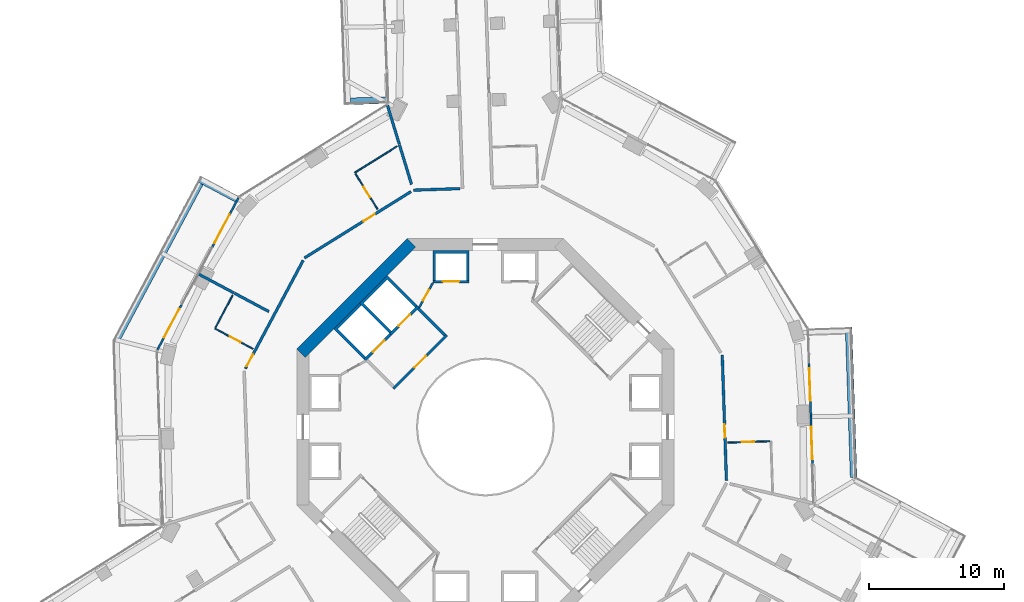
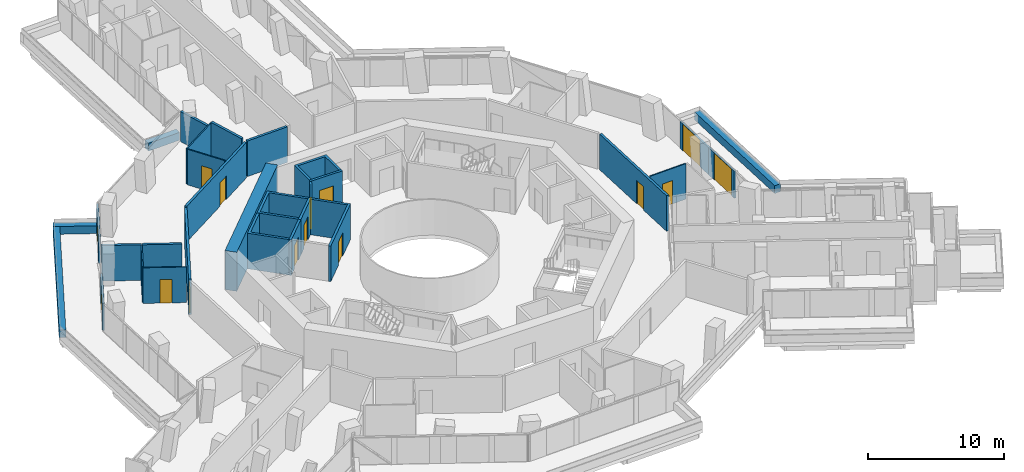
# One storey, part 21 of 27: 31 walls, 15 doors, 15 openings.
"""IFC4 building model written with IfcOpenShell, lengths in metres."""

from ifc_helpers import new_model, si_unit, direction, frame, frame_2d, origin, place, context, subcontext, project, spatial, polyline, rectangle, outline, extrude, material, layer, layer_set, type_object, element, fill, save


model = new_model("IFC4")

# Units and contexts
model_context = context("Model", 3, precision=1e-05, world=origin(), true_north=direction((0.0, 1.0)))
body_context = subcontext(model_context, "Body", "Model", "MODEL_VIEW")
ifc_project = project(units=[si_unit("LENGTHUNIT", "METRE"), si_unit("AREAUNIT", "SQUARE_METRE"), si_unit("VOLUMEUNIT", "CUBIC_METRE"), si_unit("PLANEANGLEUNIT", "RADIAN"), si_unit("MASSUNIT", "GRAM", prefix="KILO")], contexts=[model_context])

# Site, building, storey
site_placement = place(None, origin())
site = spatial("IfcSite", under=ifc_project, at=site_placement, CompositionType="ELEMENT")
building_placement = place(site_placement, origin())
building = spatial("IfcBuilding", under=site, at=building_placement, Name="Verdalira Terraces Hotel", CompositionType="ELEMENT")
storey_placement = place(building_placement, frame((0.0, 0.0, 42.5)))
storey = spatial("IfcBuildingStorey", under=building, at=storey_placement, Name="L08", CompositionType="ELEMENT", Elevation=42.5)

# Walls
ifc_material_1 = material(Name="Concrete C40", Category="concrete")
ifc_layer_1 = layer(ifc_material_1, 0.5)
ifc_layer_set_1 = layer_set([ifc_layer_1], Name="Balcony planter trough with tree")
wall_type_1 = type_object("IfcWallType", Name="Balcony planter trough with tree", PredefinedType="SOLIDWALL", material=ifc_layer_set_1)
wall_1_placement = place(storey_placement, frame((-10.015869, 24.186279, 0.0), z_axis=(0.0, 0.0, 1.0), x_axis=(0.999436745, 0.033558787, 0.0)))
element("IfcWall", 1, at=wall_1_placement, inside=storey, type_object=wall_type_1, Name="Balcony planter", PredefinedType="SOLIDWALL", context=body_context, shape_type="SweptSolid", body=[
    extrude(rectangle(XDim=2.698975, YDim=0.5, at=frame_2d((1.349609, 0.0))), origin(), (0.0, 0.0, 1.0), 0.699951),
])
wall_2_placement = place(storey_placement, frame((-18.461914, 16.93335, 0.0), z_axis=(0.0, 0.0, 1.0), x_axis=(-0.882317024, 0.470655574, 0.0)))
element("IfcWall", 2, at=wall_2_placement, inside=storey, type_object=wall_type_1, Name="Balcony planter", PredefinedType="SOLIDWALL", context=body_context, shape_type="SweptSolid", body=[
    extrude(rectangle(XDim=3.198975, YDim=0.5, at=frame_2d((1.599609, 0.0))), origin(), (0.0, 0.0, 1.0), 0.699951),
])
wall_3_placement = place(storey_placement, frame((-21.181396, 18.10083, 0.0), z_axis=(0.0, 0.0, 1.0), x_axis=(-0.470704182, -0.882291093, 0.0)))
element("IfcWall", 3, at=wall_3_placement, inside=storey, type_object=wall_type_1, Name="Balcony planter", PredefinedType="SOLIDWALL", context=body_context, shape_type="SweptSolid", body=[
    extrude(rectangle(XDim=13.223633, YDim=0.5, at=frame_2d((6.611816, 0.0))), origin(), (0.0, 0.0, 1.0), 0.699951),
])
wall_4_placement = place(storey_placement, frame((27.348877, -3.738281, 0.0), z_axis=(0.0, 0.0, 1.0), x_axis=(-0.033493409, 0.999438938, 0.0)))
element("IfcWall", 4, at=wall_4_placement, inside=storey, type_object=wall_type_1, Name="Balcony planter", PredefinedType="SOLIDWALL", context=body_context, shape_type="SweptSolid", body=[
    extrude(rectangle(XDim=11.152588, YDim=0.5, at=frame_2d((5.576172, 0.0))), origin(), (0.0, 0.0, 1.0), 0.699951),
])
ifc_material_2 = material(Name="Moisture-resistant gypsum board partition")
ifc_layer_2 = layer(ifc_material_2, 0.10009765625)
ifc_layer_set_2 = layer_set([ifc_layer_2], Name="Bathroom partition 100 mm")
wall_type_2 = type_object("IfcWallType", Name="Bathroom partition 100 mm", PredefinedType="PARTITIONING", material=ifc_layer_set_2)
wall_5_placement = place(storey_placement, frame((-20.032959, 7.400635, 0.0), z_axis=(0.0, 0.0, 1.0), x_axis=(0.470710247, 0.882287858, 0.0)))
element("IfcWall", 5, at=wall_5_placement, inside=storey, type_object=wall_type_2, Name="Bathroom partition", PredefinedType="PARTITIONING", context=body_context, shape_type="SweptSolid", body=[
    extrude(rectangle(XDim=2.700195, YDim=0.100098, at=frame_2d((1.350098, 0.0))), origin(), (0.0, 0.0, 1.0), 3.189941),
])

# Wall, opening, door
wall_6_placement = place(storey_placement, frame((-20.079834, 7.3125, 0.0), z_axis=(0.0, 0.0, 1.0), x_axis=(0.882272674, -0.470738706, 0.0)))
wall_6 = element("IfcWall", 6, at=wall_6_placement, inside=storey, type_object=wall_type_2, Name="Bathroom partition", PredefinedType="PARTITIONING", context=body_context, shape_type="SweptSolid", body=[
    extrude(rectangle(XDim=3.199951, YDim=0.100098, at=frame_2d((1.600098, 0.0))), origin(), (0.0, 0.0, 1.0), 3.189941),
])
opening_1_placement = place(wall_6_placement, frame((1.25, 0.0, 0.0)))
opening_1 = element("IfcOpeningElement", 7, at=opening_1_placement, cuts=wall_6, Name="Opening L08-111", PredefinedType="OPENING", context=body_context, shape_type="SweptSolid", body=[
    extrude(rectangle(XDim=0.899902, YDim=2.100098, at=frame_2d((0.449951, 1.050049))), frame((0.0, 0.060059, 0.0), z_axis=(0.0, -1.0, 0.0), x_axis=(1.0, 0.0, 0.0)), (0.0, 0.0, 1.0), 0.120117),
])
ifc_material_3 = material(Name="Timber door", Category="wood")
door_type_1 = type_object("IfcDoorType", Name="Bathroom door 900 x 2100", OperationType="NOTDEFINED", PredefinedType="DOOR", material=ifc_material_3)
door_1_placement = place(opening_1_placement, origin())
door_1 = element("IfcDoor", 8, at=door_1_placement, inside=storey, type_object=door_type_1, Name="Bathroom door 0805", OperationType="SINGLE_SWING_LEFT", OverallHeight=2.10009765625, OverallWidth=0.89990234375, PredefinedType="DOOR", context=body_context, shape_type="SweptSolid", body=[
    extrude(rectangle(XDim=0.899902, YDim=2.100098, at=frame_2d((0.449951, 1.050049))), frame((0.0, 0.024902, 0.0), z_axis=(0.0, -1.0, 0.0), x_axis=(1.0, 0.0, 0.0)), (0.0, 0.0, 1.0), 0.050049),
])
fill(opening_1, door_1)

wall_7_placement = place(storey_placement, frame((-9.641846, 18.803711, 0.0), z_axis=(0.0, 0.0, 1.0), x_axis=(0.528773674, -0.848762866, 0.0)))
wall_7 = element("IfcWall", 9, at=wall_7_placement, inside=storey, type_object=wall_type_2, Name="Bathroom partition", PredefinedType="PARTITIONING", context=body_context, shape_type="SweptSolid", body=[
    extrude(rectangle(XDim=3.099854, YDim=0.100098, at=frame_2d((1.549805, 0.0))), origin(), (0.0, 0.0, 1.0), 3.189941),
])
opening_2_placement = place(wall_7_placement, frame((1.149902, 0.0, 0.0)))
opening_2 = element("IfcOpeningElement", 10, at=opening_2_placement, cuts=wall_7, Name="Opening L08-109", PredefinedType="OPENING", context=body_context, shape_type="SweptSolid", body=[
    extrude(rectangle(XDim=0.899902, YDim=2.100098, at=frame_2d((0.449951, 1.050049))), frame((0.0, 0.060059, 0.0), z_axis=(0.0, -1.0, 0.0), x_axis=(1.0, 0.0, 0.0)), (0.0, 0.0, 1.0), 0.120117),
])
door_2_placement = place(opening_2_placement, origin())
door_2 = element("IfcDoor", 11, at=door_2_placement, inside=storey, type_object=door_type_1, Name="Bathroom door 0804", OperationType="SINGLE_SWING_LEFT", OverallHeight=2.10009765625, OverallWidth=0.89990234375, PredefinedType="DOOR", context=body_context, shape_type="SweptSolid", body=[
    extrude(rectangle(XDim=0.899902, YDim=2.100098, at=frame_2d((0.449951, 1.050049))), frame((0.0, 0.024902, 0.0), z_axis=(0.0, -1.0, 0.0), x_axis=(1.0, 0.0, 0.0)), (0.0, 0.0, 1.0), 0.050049),
])
fill(opening_2, door_2)

# Wall
wall_8_placement = place(storey_placement, frame((-9.69458, 18.888672, 0.0), z_axis=(0.0, 0.0, 1.0), x_axis=(0.848800913, 0.528712598, 0.0)))
element("IfcWall", 12, at=wall_8_placement, inside=storey, type_object=wall_type_2, Name="Bathroom partition", PredefinedType="PARTITIONING", context=body_context, shape_type="SweptSolid", body=[
    extrude(rectangle(XDim=3.703857, YDim=0.100098, at=frame_2d((1.852051, 0.0))), origin(), (0.0, 0.0, 1.0), 3.189941),
])

# Wall, opening, door
wall_9_placement = place(storey_placement, frame((21.105469, -1.051758, 0.0), z_axis=(0.0, 0.0, 1.0), x_axis=(-0.999437101, -0.0335482, 0.0)))
wall_9 = element("IfcWall", 13, at=wall_9_placement, inside=storey, type_object=wall_type_2, Name="Bathroom partition", PredefinedType="PARTITIONING", context=body_context, shape_type="SweptSolid", body=[
    extrude(rectangle(XDim=3.100098, YDim=0.100098, at=frame_2d((1.550049, 0.0))), origin(), (0.0, 0.0, 1.0), 3.189941),
])
opening_3_placement = place(wall_9_placement, frame((1.149902, 0.0, 0.0)))
opening_3 = element("IfcOpeningElement", 14, at=opening_3_placement, cuts=wall_9, Name="Opening L08-130", PredefinedType="OPENING", context=body_context, shape_type="SweptSolid", body=[
    extrude(rectangle(XDim=0.899902, YDim=2.100098, at=frame_2d((0.449951, 1.050049))), frame((0.0, 0.060059, 0.0), z_axis=(0.0, -1.0, 0.0), x_axis=(1.0, 0.0, 0.0)), (0.0, 0.0, 1.0), 0.120117),
])
door_3_placement = place(opening_3_placement, origin())
door_3 = element("IfcDoor", 15, at=door_3_placement, inside=storey, type_object=door_type_1, Name="Bathroom door 0814", OperationType="SINGLE_SWING_LEFT", OverallHeight=2.10009765625, OverallWidth=0.89990234375, PredefinedType="DOOR", context=body_context, shape_type="SweptSolid", body=[
    extrude(rectangle(XDim=0.899902, YDim=2.100098, at=frame_2d((0.449951, 1.050049))), frame((0.0, 0.024902, 0.0), z_axis=(0.0, -1.0, 0.0), x_axis=(1.0, 0.0, 0.0)), (0.0, 0.0, 1.0), 0.050049),
])
fill(opening_3, door_3)

# Wall
ifc_material_4 = material(Name="Concrete C50", Category="concrete")
ifc_layer_3 = layer(ifc_material_4, 0.199951171875)
ifc_layer_set_3 = layer_set([ifc_layer_3], Name="Core RC wall 200 C50")
wall_type_3 = type_object("IfcWallType", Name="Core RC wall 200 C50", PredefinedType="SOLIDWALL", material=ifc_layer_set_3)
wall_10_placement = place(storey_placement, origin())
element("IfcWall", 16, at=wall_10_placement, inside=storey, type_object=wall_type_3, Name="L08 shaft wall N2", PredefinedType="SOLIDWALL", context=body_context, shape_type="SweptSolid", body=[
    extrude(outline(polyline([(-3.899902, 10.899902), (-3.899902, 13.100098), (-1.199951, 13.100098), (-1.199951, 10.899902), (-1.399902, 10.899902), (-1.399902, 12.899902), (-3.699951, 12.899902), (-3.699951, 10.899902), (-3.899902, 10.899902)])), origin(), (0.0, 0.0, 1.0), 3.189941),
])

# Wall, opening, door
wall_11_placement = place(storey_placement, frame((-1.199951, 10.800049, 0.0), z_axis=(0.0, 0.0, 1.0), x_axis=(-1.0, 0.0, 0.0)))
wall_11 = element("IfcWall", 17, at=wall_11_placement, inside=storey, type_object=wall_type_3, Name="L08 shaft front wall N2", PredefinedType="SOLIDWALL", context=body_context, shape_type="SweptSolid", body=[
    extrude(rectangle(XDim=2.699951, YDim=0.199951, at=frame_2d((1.350098, 0.0))), origin(), (0.0, 0.0, 1.0), 3.189941),
])
opening_4_placement = place(wall_11_placement, frame((0.75, 0.0, 0.0)))
opening_4 = element("IfcOpeningElement", 18, at=opening_4_placement, cuts=wall_11, Name="Opening LD-L08-804", PredefinedType="OPENING", context=body_context, shape_type="SweptSolid", body=[
    extrude(rectangle(XDim=1.199951, YDim=2.100098, at=frame_2d((0.600098, 1.050049))), frame((0.0, 0.109863, 0.0), z_axis=(0.0, -1.0, 0.0), x_axis=(1.0, 0.0, 0.0)), (0.0, 0.0, 1.0), 0.219971),
])
ifc_material_5 = material(Name="Stainless steel", Category="steel")
door_type_2 = type_object("IfcDoorType", Name="Landing door 1200 x 2100", OperationType="NOTDEFINED", PredefinedType="DOOR", material=ifc_material_5)
door_4_placement = place(opening_4_placement, origin())
door_4 = element("IfcDoor", 19, at=door_4_placement, inside=storey, type_object=door_type_2, Name="Lift landing door LR4 L08", OperationType="DOUBLE_DOOR_SLIDING", OverallHeight=2.10009765625, OverallWidth=1.199951171875, PredefinedType="DOOR", context=body_context, shape_type="SweptSolid", body=[
    extrude(rectangle(XDim=1.199951, YDim=2.100098, at=frame_2d((0.600098, 1.050049))), frame((0.0, 0.024902, 0.0), z_axis=(0.0, -1.0, 0.0), x_axis=(1.0, 0.0, 0.0)), (0.0, 0.0, 1.0), 0.050049),
])
fill(opening_4, door_4)

# Wall
wall_12_placement = place(storey_placement, origin())
element("IfcWall", 20, at=wall_12_placement, inside=storey, type_object=wall_type_3, Name="L08 shaft wall F1", PredefinedType="SOLIDWALL", context=body_context, shape_type="SweptSolid", body=[
    extrude(outline(polyline([(-9.33374, 9.192383), (-7.283203, 11.24292), (-5.055908, 9.015625), (-5.197266, 8.874268), (-7.283203, 10.960205), (-9.051025, 9.192383), (-6.965088, 7.106445), (-7.106445, 6.965088), (-9.33374, 9.192383)])), origin(), (0.0, 0.0, 1.0), 3.189941),
])

# Wall, opening, door
wall_13_placement = place(storey_placement, frame((-4.985107, 8.944824, 0.0), z_axis=(0.0, 0.0, 1.0), x_axis=(-0.707106781, -0.707106781, 0.0)))
wall_13 = element("IfcWall", 21, at=wall_13_placement, inside=storey, type_object=wall_type_3, Name="L08 shaft front wall F1", PredefinedType="SOLIDWALL", context=body_context, shape_type="SweptSolid", body=[
    extrude(rectangle(XDim=2.899902, YDim=0.199951, at=frame_2d((1.449951, 0.0))), origin(), (0.0, 0.0, 1.0), 3.189941),
])
opening_5_placement = place(wall_13_placement, frame((0.850098, 0.0, 0.0)))
opening_5 = element("IfcOpeningElement", 22, at=opening_5_placement, cuts=wall_13, Name="Opening LD-L08-807", PredefinedType="OPENING", context=body_context, shape_type="SweptSolid", body=[
    extrude(rectangle(XDim=1.199951, YDim=2.100098, at=frame_2d((0.600098, 1.050049))), frame((0.0, 0.109863, 0.0), z_axis=(0.0, -1.0, 0.0), x_axis=(1.0, 0.0, 0.0)), (0.0, 0.0, 1.0), 0.219971),
])
door_5_placement = place(opening_5_placement, origin())
door_5 = element("IfcDoor", 23, at=door_5_placement, inside=storey, type_object=door_type_2, Name="Lift landing door LF11 L08", OperationType="DOUBLE_DOOR_SLIDING", OverallHeight=2.10009765625, OverallWidth=1.199951171875, PredefinedType="DOOR", context=body_context, shape_type="SweptSolid", body=[
    extrude(rectangle(XDim=1.199951, YDim=2.100098, at=frame_2d((0.600098, 1.050049))), frame((0.0, 0.024902, 0.0), z_axis=(0.0, -1.0, 0.0), x_axis=(1.0, 0.0, 0.0)), (0.0, 0.0, 1.0), 0.050049),
])
fill(opening_5, door_5)

# Wall
wall_14_placement = place(storey_placement, origin())
element("IfcWall", 24, at=wall_14_placement, inside=storey, type_object=wall_type_3, Name="L08 shaft wall F2", PredefinedType="SOLIDWALL", context=body_context, shape_type="SweptSolid", body=[
    extrude(outline(polyline([(-11.24292, 7.283203), (-9.33374, 9.192383), (-9.192383, 9.051025), (-10.960205, 7.283203), (-8.874268, 5.197266), (-9.015625, 5.055908), (-11.24292, 7.283203)])), origin(), (0.0, 0.0, 1.0), 3.189941),
])

# Wall, opening, door
wall_15_placement = place(storey_placement, frame((-7.035645, 6.894287, 0.0), z_axis=(0.0, 0.0, 1.0), x_axis=(-0.707106781, -0.707106781, 0.0)))
wall_15 = element("IfcWall", 25, at=wall_15_placement, inside=storey, type_object=wall_type_3, Name="L08 shaft front wall F2", PredefinedType="SOLIDWALL", context=body_context, shape_type="SweptSolid", body=[
    extrude(rectangle(XDim=2.699951, YDim=0.199951, at=frame_2d((1.350098, 0.0))), origin(), (0.0, 0.0, 1.0), 3.189941),
])
opening_6_placement = place(wall_15_placement, frame((0.649902, 0.0, 0.0)))
opening_6 = element("IfcOpeningElement", 26, at=opening_6_placement, cuts=wall_15, Name="Opening LD-L08-808", PredefinedType="OPENING", context=body_context, shape_type="SweptSolid", body=[
    extrude(rectangle(XDim=1.199951, YDim=2.100098, at=frame_2d((0.600098, 1.050049))), frame((0.0, 0.109863, 0.0), z_axis=(0.0, -1.0, 0.0), x_axis=(1.0, 0.0, 0.0)), (0.0, 0.0, 1.0), 0.219971),
])
door_6_placement = place(opening_6_placement, origin())
door_6 = element("IfcDoor", 27, at=door_6_placement, inside=storey, type_object=door_type_2, Name="Lift landing door LF12 L08", OperationType="DOUBLE_DOOR_SLIDING", OverallHeight=2.10009765625, OverallWidth=1.199951171875, PredefinedType="DOOR", context=body_context, shape_type="SweptSolid", body=[
    extrude(rectangle(XDim=1.199951, YDim=2.100098, at=frame_2d((0.600098, 1.050049))), frame((0.0, 0.024902, 0.0), z_axis=(0.0, -1.0, 0.0), x_axis=(1.0, 0.0, 0.0)), (0.0, 0.0, 1.0), 0.050049),
])
fill(opening_6, door_6)

wall_16_placement = place(storey_placement, frame((-2.86377, 6.823486, 0.0), z_axis=(0.0, 0.0, 1.0), x_axis=(-0.707106781, -0.707106781, 0.0)))
wall_16 = element("IfcWall", 28, at=wall_16_placement, inside=storey, type_object=wall_type_3, Name="L08 fire lobby wall", PredefinedType="SOLIDWALL", context=body_context, shape_type="SweptSolid", body=[
    extrude(rectangle(XDim=5.599854, YDim=0.199951, at=frame_2d((2.799805, 0.0))), origin(), (0.0, 0.0, 1.0), 3.189941),
])
opening_7_placement = place(wall_16_placement, frame((2.199951, 0.0, 0.0)))
opening_7 = element("IfcOpeningElement", 29, at=opening_7_placement, cuts=wall_16, Name="Opening L08-819", PredefinedType="OPENING", context=body_context, shape_type="SweptSolid", body=[
    extrude(rectangle(XDim=1.199951, YDim=2.100098, at=frame_2d((0.600098, 1.050049))), frame((0.0, 0.109863, 0.0), z_axis=(0.0, -1.0, 0.0), x_axis=(1.0, 0.0, 0.0)), (0.0, 0.0, 1.0), 0.219971),
])
ifc_material_6 = material(Name="Steel fire door", Category="steel")
door_type_3 = type_object("IfcDoorType", Name="Lobby door 1200 x 2100", OperationType="NOTDEFINED", PredefinedType="DOOR", material=ifc_material_6)
door_7_placement = place(opening_7_placement, origin())
door_7 = element("IfcDoor", 30, at=door_7_placement, inside=storey, type_object=door_type_3, Name="Fire lobby door L08", OperationType="SINGLE_SWING_LEFT", OverallHeight=2.10009765625, OverallWidth=1.199951171875, PredefinedType="DOOR", context=body_context, shape_type="SweptSolid", body=[
    extrude(rectangle(XDim=1.199951, YDim=2.100098, at=frame_2d((0.600098, 1.050049))), frame((0.0, 0.024902, 0.0), z_axis=(0.0, -1.0, 0.0), x_axis=(1.0, 0.0, 0.0)), (0.0, 0.0, 1.0), 0.050049),
])
fill(opening_7, door_7)

# Wall
wall_17_placement = place(storey_placement, frame((-3.005127, 6.823486, 0.0), z_axis=(0.0, 0.0, 1.0), x_axis=(-0.707106781, 0.707106781, 0.0)))
element("IfcWall", 31, at=wall_17_placement, inside=storey, type_object=wall_type_3, Name="L08 fire lobby wall", PredefinedType="SOLIDWALL", context=body_context, shape_type="SweptSolid", body=[
    extrude(rectangle(XDim=2.800049, YDim=0.199951, at=frame_2d((1.399902, 0.0))), origin(), (0.0, 0.0, 1.0), 3.189941),
])

# Wall, opening, door
ifc_material_7 = material(Name="Gypsum board partition")
ifc_layer_4 = layer(ifc_material_7, 0.14990234375)
ifc_layer_set_4 = layer_set([ifc_layer_4], Name="Core partition 150 mm")
wall_type_4 = type_object("IfcWallType", Name="Core partition 150 mm", PredefinedType="PARTITIONING", material=ifc_layer_set_4)
wall_18_placement = place(storey_placement, frame((-3.899902, 10.699951, 0.0), z_axis=(0.0, 0.0, 1.0), x_axis=(-0.485692555, -0.874129705, 0.0)))
wall_18 = element("IfcWall", 32, at=wall_18_placement, inside=storey, type_object=wall_type_4, Name="Room partition L08", PredefinedType="PARTITIONING", context=body_context, shape_type="SweptSolid", body=[
    extrude(rectangle(XDim=2.088623, YDim=0.149902, at=frame_2d((1.044434, 0.0))), origin(), (0.0, 0.0, 1.0), 3.189941),
])
opening_8_placement = place(wall_18_placement, frame((0.594238, 0.0, 0.0)))
opening_8 = element("IfcOpeningElement", 33, at=opening_8_placement, cuts=wall_18, Name="Opening L08-821", PredefinedType="OPENING", context=body_context, shape_type="SweptSolid", body=[
    extrude(rectangle(XDim=0.899902, YDim=2.100098, at=frame_2d((0.449951, 1.050049))), frame((0.0, 0.084961, 0.0), z_axis=(0.0, -1.0, 0.0), x_axis=(1.0, 0.0, 0.0)), (0.0, 0.0, 1.0), 0.169922),
])
ifc_material_8 = material(Name="Steel fire door", Category="steel")
door_type_4 = type_object("IfcDoorType", Name="Core room door 900 x 2100", OperationType="NOTDEFINED", PredefinedType="DOOR", material=ifc_material_8)
door_8_placement = place(opening_8_placement, origin())
door_8 = element("IfcDoor", 34, at=door_8_placement, inside=storey, type_object=door_type_4, Name="Door L08 room2", OperationType="SINGLE_SWING_LEFT", OverallHeight=2.10009765625, OverallWidth=0.89990234375, PredefinedType="DOOR", context=body_context, shape_type="SweptSolid", body=[
    extrude(rectangle(XDim=0.899902, YDim=2.100098, at=frame_2d((0.449951, 1.050049))), frame((0.0, 0.024902, 0.0), z_axis=(0.0, -1.0, 0.0), x_axis=(1.0, 0.0, 0.0)), (0.0, 0.0, 1.0), 0.050049),
])
fill(opening_8, door_8)

# Walls
ifc_material_9 = material(Name="Concrete C70", Category="concrete")
ifc_layer_5 = layer(ifc_material_9, 0.89990234375)
ifc_layer_set_5 = layer_set([ifc_layer_5], Name="Core wall 900 C70")
wall_type_5 = type_object("IfcWallType", Name="Core wall 900 C70", PredefinedType="SHEAR", material=ifc_layer_set_5)
wall_19_placement = place(storey_placement, frame((-5.480713, 13.681885, 0.0), z_axis=(0.0, 0.0, 1.0), x_axis=(-0.707106781, -0.707106781, 0.0)))
element("IfcWall", 35, at=wall_19_placement, inside=storey, type_object=wall_type_5, Name="Core wall CW-L08-4", PredefinedType="SHEAR", context=body_context, shape_type="SweptSolid", body=[
    extrude(rectangle(XDim=11.598145, YDim=0.899902, at=frame_2d((5.799072, 0.0))), origin(), (0.0, 0.0, 1.0), 3.5),
])
ifc_material_10 = material(Name="Fire-rated gypsum board wall")
ifc_layer_6 = layer(ifc_material_10, 0.199951171875)
ifc_layer_set_6 = layer_set([ifc_layer_6], Name="Demising wall 200 mm")
wall_type_6 = type_object("IfcWallType", Name="Demising wall 200 mm", PredefinedType="SOLIDWALL", material=ifc_layer_set_6)
wall_20_placement = place(storey_placement, frame((-18.666016, 9.958496, 0.0), z_axis=(0.0, 0.0, 1.0), x_axis=(-0.882304858, 0.470678379, 0.0)))
element("IfcWall", 36, at=wall_20_placement, inside=storey, type_object=wall_type_6, Name="Demising wall", PredefinedType="SOLIDWALL", context=body_context, shape_type="SweptSolid", body=[
    extrude(rectangle(XDim=2.951904, YDim=0.199951, at=frame_2d((1.476074, 0.0))), origin(), (0.0, 0.0, 1.0), 3.189941),
])
wall_21_placement = place(storey_placement, frame((-16.0625, 8.569336, 0.0), z_axis=(0.0, 0.0, 1.0), x_axis=(-0.882280811, 0.470723454, 0.0)))
element("IfcWall", 37, at=wall_21_placement, inside=storey, type_object=wall_type_6, Name="Demising wall", PredefinedType="SOLIDWALL", context=body_context, shape_type="SweptSolid", body=[
    extrude(rectangle(XDim=2.905029, YDim=0.199951, at=frame_2d((1.452637, 0.0))), origin(), (0.0, 0.0, 1.0), 3.189941),
])
wall_22_placement = place(storey_placement, frame((-5.480713, 18.016846, 0.0), z_axis=(0.0, 0.0, 1.0), x_axis=(-0.291009951, 0.956720026, 0.0)))
element("IfcWall", 38, at=wall_22_placement, inside=storey, type_object=wall_type_6, Name="Demising wall", PredefinedType="SOLIDWALL", context=body_context, shape_type="SweptSolid", body=[
    extrude(rectangle(XDim=3.074707, YDim=0.199951, at=frame_2d((1.537354, 0.0))), origin(), (0.0, 0.0, 1.0), 3.189941),
])
ifc_material_11 = material(Name="Fire-rated gypsum board wall")
ifc_layer_7 = layer(ifc_material_11, 0.199951171875)
ifc_layer_set_7 = layer_set([ifc_layer_7], Name="Demising wall 200 mm to beam soffit")
wall_type_7 = type_object("IfcWallType", Name="Demising wall 200 mm to beam soffit", PredefinedType="SOLIDWALL", material=ifc_layer_set_7)
wall_23_placement = place(storey_placement, frame((-6.388916, 21.002441, 0.0), z_axis=(0.0, 0.0, 1.0), x_axis=(-0.291064827, 0.956703332, 0.0)))
element("IfcWall", 39, at=wall_23_placement, inside=storey, type_object=wall_type_7, Name="Demising wall", PredefinedType="SOLIDWALL", context=body_context, shape_type="SweptSolid", body=[
    extrude(rectangle(XDim=3.01123, YDim=0.199951, at=frame_2d((1.505615, 0.0))), origin(), (0.0, 0.0, 1.0), 2.689941),
])

# Wall, opening, door
ifc_material_12 = material(Name="Fire-rated gypsum board wall")
ifc_layer_8 = layer(ifc_material_12, 0.199951171875)
ifc_layer_set_8 = layer_set([ifc_layer_8], Name="Guest corridor wall 200 mm")
wall_type_8 = type_object("IfcWallType", Name="Guest corridor wall 200 mm", PredefinedType="SOLIDWALL", material=ifc_layer_set_8)
wall_24_placement = place(storey_placement, frame((-17.813477, 4.337646, 0.0), z_axis=(0.0, 0.0, 1.0), x_axis=(0.470711952, 0.882286948, 0.0)))
wall_24 = element("IfcWall", 40, at=wall_24_placement, inside=storey, type_object=wall_type_8, Name="Guest corridor wall", PredefinedType="SOLIDWALL", context=body_context, shape_type="SweptSolid", body=[
    extrude(rectangle(XDim=9.115479, YDim=0.199951, at=frame_2d((4.557617, 0.0))), origin(), (0.0, 0.0, 1.0), 3.189941),
])
opening_9_placement = place(wall_24_placement, frame((0.199951, 0.0, 0.0)))
opening_9 = element("IfcOpeningElement", 41, at=opening_9_placement, cuts=wall_24, Name="Opening L08-110", PredefinedType="OPENING", context=body_context, shape_type="SweptSolid", body=[
    extrude(rectangle(XDim=1.0, YDim=2.100098, at=frame_2d((0.5, 1.050049))), frame((0.0, 0.109863, 0.0), z_axis=(0.0, -1.0, 0.0), x_axis=(1.0, 0.0, 0.0)), (0.0, 0.0, 1.0), 0.219971),
])
ifc_material_13 = material(Name="Timber fire door", Category="wood")
door_type_5 = type_object("IfcDoorType", Name="Guest entry door 1000 x 2100", OperationType="NOTDEFINED", PredefinedType="DOOR", material=ifc_material_13)
door_9_placement = place(opening_9_placement, origin())
door_9 = element("IfcDoor", 42, at=door_9_placement, inside=storey, type_object=door_type_5, Name="Guest entry door 0805", OperationType="SINGLE_SWING_LEFT", OverallHeight=2.10009765625, OverallWidth=1.0, PredefinedType="DOOR", context=body_context, shape_type="SweptSolid", body=[
    extrude(rectangle(XDim=1.0, YDim=2.100098, at=frame_2d((0.5, 1.050049))), frame((0.0, 0.024902, 0.0), z_axis=(0.0, -1.0, 0.0), x_axis=(1.0, 0.0, 0.0)), (0.0, 0.0, 1.0), 0.050049),
])
fill(opening_9, door_9)

wall_25_placement = place(storey_placement, frame((-13.427734, 12.557373, 0.0), z_axis=(0.0, 0.0, 1.0), x_axis=(0.848780633, 0.528745154, 0.0)))
wall_25 = element("IfcWall", 43, at=wall_25_placement, inside=storey, type_object=wall_type_8, Name="Guest corridor wall", PredefinedType="SOLIDWALL", context=body_context, shape_type="SweptSolid", body=[
    extrude(rectangle(XDim=9.315918, YDim=0.199951, at=frame_2d((4.657959, 0.0))), origin(), (0.0, 0.0, 1.0), 3.189941),
])
opening_10_placement = place(wall_25_placement, frame((5.149902, 0.0, 0.0)))
opening_10 = element("IfcOpeningElement", 44, at=opening_10_placement, cuts=wall_25, Name="Opening L08-108", PredefinedType="OPENING", context=body_context, shape_type="SweptSolid", body=[
    extrude(rectangle(XDim=1.0, YDim=2.100098, at=frame_2d((0.5, 1.050049))), frame((0.0, 0.109863, 0.0), z_axis=(0.0, -1.0, 0.0), x_axis=(1.0, 0.0, 0.0)), (0.0, 0.0, 1.0), 0.219971),
])
door_10_placement = place(opening_10_placement, origin())
door_10 = element("IfcDoor", 45, at=door_10_placement, inside=storey, type_object=door_type_5, Name="Guest entry door 0804", OperationType="SINGLE_SWING_LEFT", OverallHeight=2.10009765625, OverallWidth=1.0, PredefinedType="DOOR", context=body_context, shape_type="SweptSolid", body=[
    extrude(rectangle(XDim=1.0, YDim=2.100098, at=frame_2d((0.5, 1.050049))), frame((0.0, 0.024902, 0.0), z_axis=(0.0, -1.0, 0.0), x_axis=(1.0, 0.0, 0.0)), (0.0, 0.0, 1.0), 0.050049),
])
fill(opening_10, door_10)

# Wall
wall_26_placement = place(storey_placement, frame((-1.894287, 17.704834, 0.0), z_axis=(0.0, 0.0, 1.0), x_axis=(-0.999437596, -0.033533436, 0.0)))
element("IfcWall", 46, at=wall_26_placement, inside=storey, type_object=wall_type_8, Name="Guest corridor wall", PredefinedType="SOLIDWALL", context=body_context, shape_type="SweptSolid", body=[
    extrude(rectangle(XDim=3.458252, YDim=0.199951, at=frame_2d((1.729004, 0.0))), origin(), (0.0, 0.0, 1.0), 3.189941),
])

# Wall, opening, door
wall_27_placement = place(storey_placement, frame((17.589111, 5.350098, 0.0), z_axis=(0.0, 0.0, 1.0), x_axis=(0.033491964, -0.999438987, 0.0)))
wall_27 = element("IfcWall", 47, at=wall_27_placement, inside=storey, type_object=wall_type_8, Name="Guest corridor wall", PredefinedType="SOLIDWALL", context=body_context, shape_type="SweptSolid", body=[
    extrude(rectangle(XDim=9.315918, YDim=0.199951, at=frame_2d((4.657959, 0.0))), origin(), (0.0, 0.0, 1.0), 3.189941),
])
opening_11_placement = place(wall_27_placement, frame((5.149902, 0.0, 0.0)))
opening_11 = element("IfcOpeningElement", 48, at=opening_11_placement, cuts=wall_27, Name="Opening L08-129", PredefinedType="OPENING", context=body_context, shape_type="SweptSolid", body=[
    extrude(rectangle(XDim=1.0, YDim=2.100098, at=frame_2d((0.5, 1.050049))), frame((0.0, 0.109863, 0.0), z_axis=(0.0, -1.0, 0.0), x_axis=(1.0, 0.0, 0.0)), (0.0, 0.0, 1.0), 0.219971),
])
door_11_placement = place(opening_11_placement, origin())
door_11 = element("IfcDoor", 49, at=door_11_placement, inside=storey, type_object=door_type_5, Name="Guest entry door 0814", OperationType="SINGLE_SWING_LEFT", OverallHeight=2.10009765625, OverallWidth=1.0, PredefinedType="DOOR", context=body_context, shape_type="SweptSolid", body=[
    extrude(rectangle(XDim=1.0, YDim=2.100098, at=frame_2d((0.5, 1.050049))), frame((0.0, 0.024902, 0.0), z_axis=(0.0, -1.0, 0.0), x_axis=(1.0, 0.0, 0.0)), (0.0, 0.0, 1.0), 0.050049),
])
fill(opening_11, door_11)

ifc_material_14 = material(Name="Terracotta cladding", Category="masonry")
ifc_layer_9 = layer(ifc_material_14, 0.14990234375)
ifc_layer_set_9 = layer_set([ifc_layer_9], Name="Terracotta door pier 150")
wall_type_9 = type_object("IfcWallType", Name="Terracotta door pier 150", PredefinedType="SOLIDWALL", material=ifc_layer_set_9)
wall_28_placement = place(storey_placement, frame((-18.324219, 17.029785, 0.0), z_axis=(0.0, 0.0, 1.0), x_axis=(-0.470687824, -0.88229982, 0.0)))
wall_28 = element("IfcWall", 50, at=wall_28_placement, inside=storey, type_object=wall_type_9, Name="Terracotta door pier", PredefinedType="SOLIDWALL", context=body_context, shape_type="SweptSolid", body=[
    extrude(rectangle(XDim=4.19873, YDim=0.149902, at=frame_2d((2.099365, 0.0))), origin(), (0.0, 0.0, 1.0), 2.425049),
])
opening_12_placement = place(wall_28_placement, frame((1.398682, 0.0, 0.0)))
opening_12 = element("IfcOpeningElement", 51, at=opening_12_placement, cuts=wall_28, Name="Opening L08-B07", PredefinedType="OPENING", context=body_context, shape_type="SweptSolid", body=[
    extrude(rectangle(XDim=2.399902, YDim=2.399902, at=frame_2d((1.199951, 1.199951))), frame((0.0, 0.084961, 0.0), z_axis=(0.0, -1.0, 0.0), x_axis=(1.0, 0.0, 0.0)), (0.0, 0.0, 1.0), 0.169922),
])
ifc_material_15 = material(Name="Clear glass", Category="glass")
door_type_6 = type_object("IfcDoorType", Name="Balcony sliding door 2400x2400", OperationType="NOTDEFINED", PredefinedType="DOOR", material=ifc_material_15)
door_12_placement = place(opening_12_placement, origin())
door_12 = element("IfcDoor", 52, at=door_12_placement, inside=storey, type_object=door_type_6, Name="Balcony sliding door", OperationType="SLIDING_TO_LEFT", OverallHeight=2.39990234375, OverallWidth=2.39990234375, PredefinedType="DOOR", context=body_context, shape_type="SweptSolid", body=[
    extrude(rectangle(XDim=2.399902, YDim=2.399902, at=frame_2d((1.199951, 1.199951))), frame((0.0, 0.024902, 0.0), z_axis=(0.0, -1.0, 0.0), x_axis=(1.0, 0.0, 0.0)), (0.0, 0.0, 1.0), 0.050049),
])
fill(opening_12, door_12)

wall_29_placement = place(storey_placement, frame((-22.540771, 9.126221, 0.0), z_axis=(0.0, 0.0, 1.0), x_axis=(-0.470723468, -0.882280804, 0.0)))
wall_29 = element("IfcWall", 53, at=wall_29_placement, inside=storey, type_object=wall_type_9, Name="Terracotta door pier", PredefinedType="SOLIDWALL", context=body_context, shape_type="SweptSolid", body=[
    extrude(rectangle(XDim=3.841553, YDim=0.149902, at=frame_2d((1.920898, 0.0))), origin(), (0.0, 0.0, 1.0), 2.425049),
])
opening_13_placement = place(wall_29_placement, frame((0.399902, 0.0, 0.0)))
opening_13 = element("IfcOpeningElement", 54, at=opening_13_placement, cuts=wall_29, Name="Opening L08-B08", PredefinedType="OPENING", context=body_context, shape_type="SweptSolid", body=[
    extrude(rectangle(XDim=2.399902, YDim=2.399902, at=frame_2d((1.199951, 1.199951))), frame((0.0, 0.084961, 0.0), z_axis=(0.0, -1.0, 0.0), x_axis=(1.0, 0.0, 0.0)), (0.0, 0.0, 1.0), 0.169922),
])
door_13_placement = place(opening_13_placement, origin())
door_13 = element("IfcDoor", 55, at=door_13_placement, inside=storey, type_object=door_type_6, Name="Balcony sliding door", OperationType="SLIDING_TO_RIGHT", OverallHeight=2.39990234375, OverallWidth=2.39990234375, PredefinedType="DOOR", context=body_context, shape_type="SweptSolid", body=[
    extrude(rectangle(XDim=2.399902, YDim=2.399902, at=frame_2d((1.199951, 1.199951))), frame((0.0, 0.024902, 0.0), z_axis=(0.0, -1.0, 0.0), x_axis=(1.0, 0.0, 0.0)), (0.0, 0.0, 1.0), 0.050049),
])
fill(opening_13, door_13)

wall_30_placement = place(storey_placement, frame((24.290283, -2.787842, 0.0), z_axis=(0.0, 0.0, 1.0), x_axis=(-0.033499981, 0.999438718, 0.0)))
wall_30 = element("IfcWall", 56, at=wall_30_placement, inside=storey, type_object=wall_type_9, Name="Terracotta door pier", PredefinedType="SOLIDWALL", context=body_context, shape_type="SweptSolid", body=[
    extrude(rectangle(XDim=3.600098, YDim=0.149902, at=frame_2d((1.800049, 0.0))), origin(), (0.0, 0.0, 1.0), 2.425049),
])
opening_14_placement = place(wall_30_placement, frame((0.399902, 0.0, 0.0)))
opening_14 = element("IfcOpeningElement", 57, at=opening_14_placement, cuts=wall_30, Name="Opening L08-B20", PredefinedType="OPENING", context=body_context, shape_type="SweptSolid", body=[
    extrude(rectangle(XDim=2.399902, YDim=2.399902, at=frame_2d((1.199951, 1.199951))), frame((0.0, 0.084961, 0.0), z_axis=(0.0, -1.0, 0.0), x_axis=(1.0, 0.0, 0.0)), (0.0, 0.0, 1.0), 0.169922),
])
door_14_placement = place(opening_14_placement, origin())
door_14 = element("IfcDoor", 58, at=door_14_placement, inside=storey, type_object=door_type_6, Name="Balcony sliding door", OperationType="SLIDING_TO_RIGHT", OverallHeight=2.39990234375, OverallWidth=2.39990234375, PredefinedType="DOOR", context=body_context, shape_type="SweptSolid", body=[
    extrude(rectangle(XDim=2.399902, YDim=2.399902, at=frame_2d((1.199951, 1.199951))), frame((0.0, 0.024902, 0.0), z_axis=(0.0, -1.0, 0.0), x_axis=(1.0, 0.0, 0.0)), (0.0, 0.0, 1.0), 0.050049),
])
fill(opening_14, door_14)

wall_31_placement = place(storey_placement, frame((24.169678, 0.810303, 0.0), z_axis=(0.0, 0.0, 1.0), x_axis=(-0.033472875, 0.999439626, 0.0)))
wall_31 = element("IfcWall", 59, at=wall_31_placement, inside=storey, type_object=wall_type_9, Name="Terracotta door pier", PredefinedType="SOLIDWALL", context=body_context, shape_type="SweptSolid", body=[
    extrude(rectangle(XDim=3.960449, YDim=0.149902, at=frame_2d((1.980225, 0.0))), origin(), (0.0, 0.0, 1.0), 2.425049),
])
opening_15_placement = place(wall_31_placement, frame((1.1604, 0.0, 0.0)))
opening_15 = element("IfcOpeningElement", 60, at=opening_15_placement, cuts=wall_31, Name="Opening L08-B21", PredefinedType="OPENING", context=body_context, shape_type="SweptSolid", body=[
    extrude(rectangle(XDim=2.399902, YDim=2.399902, at=frame_2d((1.199951, 1.199951))), frame((0.0, 0.084961, 0.0), z_axis=(0.0, -1.0, 0.0), x_axis=(1.0, 0.0, 0.0)), (0.0, 0.0, 1.0), 0.169922),
])
door_15_placement = place(opening_15_placement, origin())
door_15 = element("IfcDoor", 61, at=door_15_placement, inside=storey, type_object=door_type_6, Name="Balcony sliding door", OperationType="SLIDING_TO_LEFT", OverallHeight=2.39990234375, OverallWidth=2.39990234375, PredefinedType="DOOR", context=body_context, shape_type="SweptSolid", body=[
    extrude(rectangle(XDim=2.399902, YDim=2.399902, at=frame_2d((1.199951, 1.199951))), frame((0.0, 0.024902, 0.0), z_axis=(0.0, -1.0, 0.0), x_axis=(1.0, 0.0, 0.0)), (0.0, 0.0, 1.0), 0.050049),
])
fill(opening_15, door_15)

save(model, "model.ifc")
